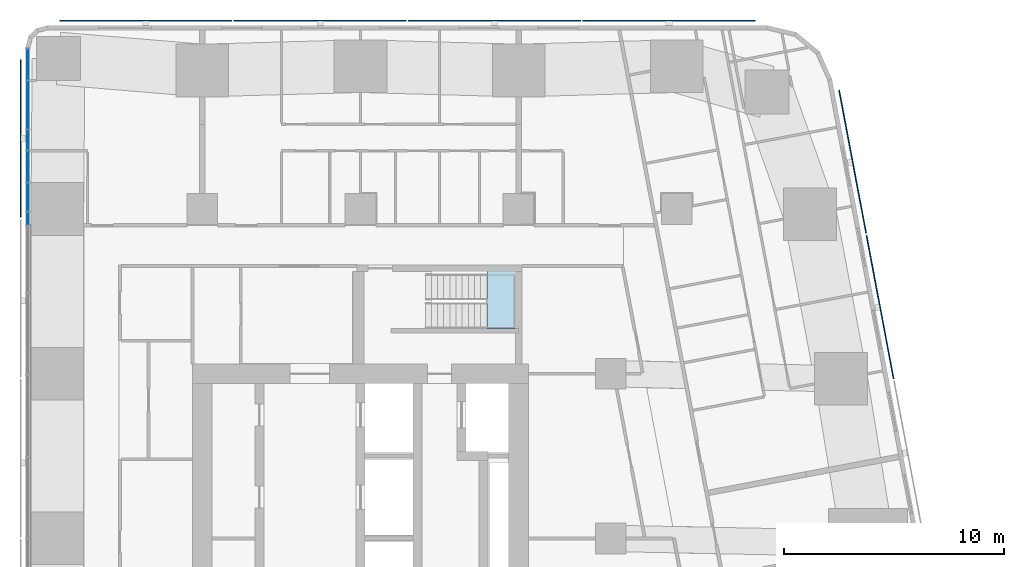
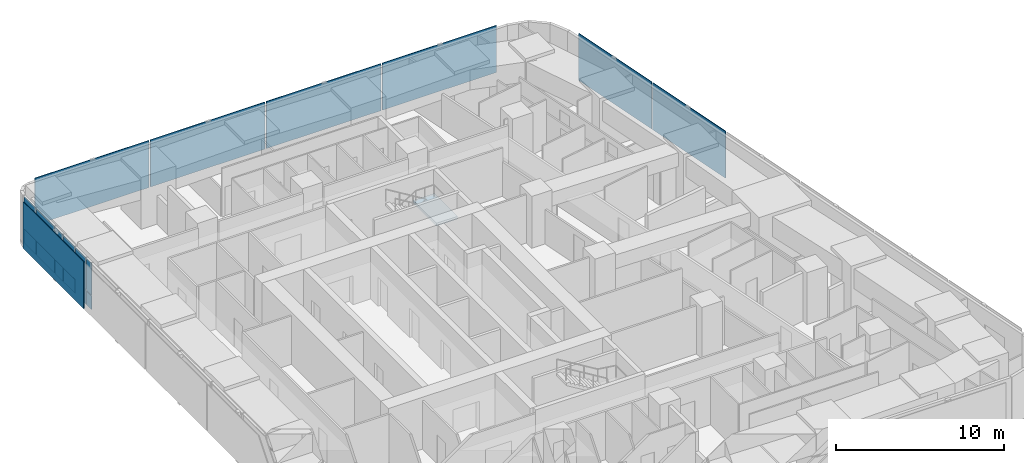
# One storey, part 9 of 19: 19 plates, 1 slab, 2 elements without a shape of their own.
"""IFC4 building model written with IfcOpenShell, lengths in metres."""

from ifc_helpers import new_model, si_unit, direction, frame, origin, origin_2d, place, context, subcontext, project, spatial, polyline, rectangle, outline, extrude, material, layer, layer_set, type_object, element, aggregate, save


model = new_model("IFC4")

# Units and contexts
model_context = context("Model", 3, precision=1e-05, world=origin(), true_north=direction((0.0, 1.0)))
body_context = subcontext(model_context, "Body", "Model", "MODEL_VIEW")
ifc_project = project(units=[si_unit("LENGTHUNIT", "METRE"), si_unit("AREAUNIT", "SQUARE_METRE"), si_unit("VOLUMEUNIT", "CUBIC_METRE"), si_unit("PLANEANGLEUNIT", "RADIAN"), si_unit("MASSUNIT", "GRAM", prefix="KILO")], contexts=[model_context])

# Site, building, storey
site_placement = place(None, origin())
site = spatial("IfcSite", under=ifc_project, at=site_placement, CompositionType="ELEMENT")
building_placement = place(site_placement, origin())
building = spatial("IfcBuilding", under=site, at=building_placement, Name="Sheger Commons Tower", CompositionType="ELEMENT")
storey_placement = place(building_placement, frame((0.0, 0.0, 201.199951171875)))
storey = spatial("IfcBuildingStorey", under=building, at=storey_placement, Name="L51", CompositionType="ELEMENT", Elevation=201.199951171875)

# Curtain wall, plates
ifc_material_1 = material(Name="Black aluminium curtain wall, dark tinted glazing", Category="aluminium")
curtain_wall_type = type_object("IfcCurtainWallType", Name="CURTAIN WALL CW4 GALLERY", PredefinedType="USERDEFINED", material=ifc_material_1)
curtain_wall_placement = place(storey_placement, origin())
curtain_wall = element("IfcCurtainWall", 1, at=curtain_wall_placement, inside=storey, type_object=curtain_wall_type, Name="Curtain Wall Cw4 Gallery W1 L51", ObjectType="UNITISED CURTAIN WALL", PredefinedType="USERDEFINED")
ifc_material_2 = material(Name="Dark tinted double glazing", Category="glass")
ifc_layer_1 = layer(ifc_material_2, 0.031982421875)
ifc_layer_set_1 = layer_set([ifc_layer_1], Name="GLAZED PANEL 32")
plate_type_1 = type_object("IfcPlateType", Name="GLAZED PANEL 32", PredefinedType="CURTAIN_PANEL", material=ifc_layer_set_1)
plate_1_placement = place(storey_placement, frame((6.449951171875, 44.0751953125, 0.065185546875), z_axis=(0.0, 0.0, 1.0), x_axis=(0.0, -1.0, 0.0)))
plate_1 = element("IfcPlate", 2, at=plate_1_placement, type_object=plate_type_1, Name="CW4 panel 1.1", PredefinedType="CURTAIN_PANEL", context=body_context, shape_type="SweptSolid", body=[
    extrude(rectangle(XDim=1.3935546875, YDim=0.031982421875, at=origin_2d()), origin(), (0.0, 0.0, 1.0), 1.00244140625),
])
plate_2_placement = place(storey_placement, frame((6.449951171875, 44.0751953125, 1.13232421875), z_axis=(0.0, 0.0, 1.0), x_axis=(0.0, -1.0, 0.0)))
plate_2 = element("IfcPlate", 3, at=plate_2_placement, type_object=plate_type_1, Name="CW4 panel 1.2", PredefinedType="CURTAIN_PANEL", context=body_context, shape_type="SweptSolid", body=[
    extrude(rectangle(XDim=1.3935546875, YDim=0.031982421875, at=origin_2d()), origin(), (0.0, 0.0, 1.0), 2.302490234375),
])
plate_3_placement = place(storey_placement, frame((6.449951171875, 42.22998046875, 0.065185546875), z_axis=(0.0, 0.0, 1.0), x_axis=(0.0, -1.0, 0.0)))
plate_3 = element("IfcPlate", 4, at=plate_3_placement, type_object=plate_type_1, Name="CW4 panel 2.1", PredefinedType="CURTAIN_PANEL", context=body_context, shape_type="SweptSolid", body=[
    extrude(rectangle(XDim=2.1669921875, YDim=0.031982421875, at=origin_2d()), origin(), (0.0, 0.0, 1.0), 1.00244140625),
])
plate_4_placement = place(storey_placement, frame((6.449951171875, 42.22998046875, 1.13232421875), z_axis=(0.0, 0.0, 1.0), x_axis=(0.0, -1.0, 0.0)))
plate_4 = element("IfcPlate", 5, at=plate_4_placement, type_object=plate_type_1, Name="CW4 panel 2.2", PredefinedType="CURTAIN_PANEL", context=body_context, shape_type="SweptSolid", body=[
    extrude(rectangle(XDim=2.1669921875, YDim=0.031982421875, at=origin_2d()), origin(), (0.0, 0.0, 1.0), 2.302490234375),
])
plate_5_placement = place(storey_placement, frame((6.449951171875, 40.632080078125, 0.065185546875), z_axis=(0.0, 0.0, 1.0), x_axis=(0.0, -1.0, 0.0)))
plate_5 = element("IfcPlate", 6, at=plate_5_placement, type_object=plate_type_1, Name="CW4 panel 3.1", PredefinedType="CURTAIN_PANEL", context=body_context, shape_type="SweptSolid", body=[
    extrude(rectangle(XDim=0.89892578125, YDim=0.031982421875, at=origin_2d()), origin(), (0.0, 0.0, 1.0), 1.00244140625),
])
plate_6_placement = place(storey_placement, frame((6.449951171875, 40.632080078125, 1.13232421875), z_axis=(0.0, 0.0, 1.0), x_axis=(0.0, -1.0, 0.0)))
plate_6 = element("IfcPlate", 7, at=plate_6_placement, type_object=plate_type_1, Name="CW4 panel 3.2", PredefinedType="CURTAIN_PANEL", context=body_context, shape_type="SweptSolid", body=[
    extrude(rectangle(XDim=0.89892578125, YDim=0.031982421875, at=origin_2d()), origin(), (0.0, 0.0, 1.0), 2.302490234375),
])
plate_7_placement = place(storey_placement, frame((6.449951171875, 39.425048828125, 0.065185546875), z_axis=(0.0, 0.0, 1.0), x_axis=(0.0, -1.0, 0.0)))
plate_7 = element("IfcPlate", 8, at=plate_7_placement, type_object=plate_type_1, Name="CW4 panel 4.1", PredefinedType="CURTAIN_PANEL", context=body_context, shape_type="SweptSolid", body=[
    extrude(rectangle(XDim=1.385009765625, YDim=0.031982421875, at=origin_2d()), origin(), (0.0, 0.0, 1.0), 1.00244140625),
])
plate_8_placement = place(storey_placement, frame((6.449951171875, 39.425048828125, 1.13232421875), z_axis=(0.0, 0.0, 1.0), x_axis=(0.0, -1.0, 0.0)))
plate_8 = element("IfcPlate", 9, at=plate_8_placement, type_object=plate_type_1, Name="CW4 panel 4.2", PredefinedType="CURTAIN_PANEL", context=body_context, shape_type="SweptSolid", body=[
    extrude(rectangle(XDim=1.385009765625, YDim=0.031982421875, at=origin_2d()), origin(), (0.0, 0.0, 1.0), 2.302490234375),
])
plate_9_placement = place(storey_placement, frame((6.449951171875, 38.04541015625, 0.065185546875), z_axis=(0.0, 0.0, 1.0), x_axis=(0.0, -1.0, 0.0)))
plate_9 = element("IfcPlate", 10, at=plate_9_placement, type_object=plate_type_1, Name="CW4 panel 5.1", PredefinedType="CURTAIN_PANEL", context=body_context, shape_type="SweptSolid", body=[
    extrude(rectangle(XDim=1.243896484375, YDim=0.031982421875, at=origin_2d()), origin(), (0.0, 0.0, 1.0), 1.00244140625),
])
plate_10_placement = place(storey_placement, frame((6.449951171875, 38.04541015625, 1.13232421875), z_axis=(0.0, 0.0, 1.0), x_axis=(0.0, -1.0, 0.0)))
plate_10 = element("IfcPlate", 11, at=plate_10_placement, type_object=plate_type_1, Name="CW4 panel 5.2", PredefinedType="CURTAIN_PANEL", context=body_context, shape_type="SweptSolid", body=[
    extrude(rectangle(XDim=1.243896484375, YDim=0.031982421875, at=origin_2d()), origin(), (0.0, 0.0, 1.0), 2.302490234375),
])
plate_11_placement = place(storey_placement, frame((6.449951171875, 37.070556640625, 0.065185546875), z_axis=(0.0, 0.0, 1.0), x_axis=(0.0, -1.0, 0.0)))
plate_11 = element("IfcPlate", 12, at=plate_11_placement, type_object=plate_type_1, Name="CW4 panel 6.1", PredefinedType="CURTAIN_PANEL", context=body_context, shape_type="SweptSolid", body=[
    extrude(rectangle(XDim=0.575927734375, YDim=0.031982421875, at=origin_2d()), origin(), (0.0, 0.0, 1.0), 1.00244140625),
])
plate_12_placement = place(storey_placement, frame((6.449951171875, 37.070556640625, 1.13232421875), z_axis=(0.0, 0.0, 1.0), x_axis=(0.0, -1.0, 0.0)))
plate_12 = element("IfcPlate", 13, at=plate_12_placement, type_object=plate_type_1, Name="CW4 panel 6.2", PredefinedType="CURTAIN_PANEL", context=body_context, shape_type="SweptSolid", body=[
    extrude(rectangle(XDim=0.575927734375, YDim=0.031982421875, at=origin_2d()), origin(), (0.0, 0.0, 1.0), 2.302490234375),
])
aggregate(curtain_wall, [plate_1, plate_2, plate_3, plate_4, plate_5, plate_6, plate_7, plate_8, plate_9, plate_10, plate_11, plate_12])

# Plates
ifc_material_3 = material(Name="Perforated black anodised aluminium screen", Category="aluminium")
ifc_layer_2 = layer(ifc_material_3, 0.050048828125)
ifc_layer_set_2 = layer_set([ifc_layer_2], Name="SOLAR SCREEN SCREEN-1")
plate_type_2 = type_object("IfcPlateType", Name="SOLAR SCREEN SCREEN-1", PredefinedType="USERDEFINED", material=ifc_layer_set_2)
for number, where, z_axis, x_axis, name in (
    (14, (45.2548828125, 33.028076171875, 0.050048828125), (0.0, 0.0, 1.0), (-0.185615165645, 0.982622516678, 0.0), "Perforated solar screen panel"),
    (15, (44.0048828125, 39.64794921875, 0.050048828125), (0.0, 0.0, 1.0), (-0.185615165645, 0.982622516678, 0.0), "Perforated solar screen panel"),
):
    element("IfcPlate", number, at=place(storey_placement, frame(where, z_axis=z_axis, x_axis=x_axis)), inside=storey, type_object=plate_type_2, Name=name, ObjectType="SCREEN", PredefinedType="USERDEFINED", context=body_context, shape_type="SweptSolid", body=[
        extrude(rectangle(XDim=6.636962890625, YDim=0.050048828125, at=origin_2d()), origin(), (0.0, 0.0, 1.0), 3.39990234375),
    ])
for number, where, z_axis, x_axis, name in (
    (16, (35.64697265625, 46.074951171875, 0.050048828125), (0.0, 0.0, 1.0), (-1.0, 0.0, 0.0), "Perforated solar screen panel"),
    (17, (27.705078125, 46.074951171875, 0.050048828125), (0.0, 0.0, 1.0), (-1.0, 0.0, 0.0), "Perforated solar screen panel"),
    (18, (19.762939453125, 46.074951171875, 0.050048828125), (0.0, 0.0, 1.0), (-1.0, 0.0, 0.0), "Perforated solar screen panel"),
    (19, (11.821044921875, 46.074951171875, 0.050048828125), (0.0, 0.0, 1.0), (-1.0, 0.0, 0.0), "Perforated solar screen panel"),
):
    element("IfcPlate", number, at=place(storey_placement, frame(where, z_axis=z_axis, x_axis=x_axis)), inside=storey, type_object=plate_type_2, Name=name, ObjectType="SCREEN", PredefinedType="USERDEFINED", context=body_context, shape_type="SweptSolid", body=[
        extrude(rectangle(XDim=7.842041015625, YDim=0.050048828125, at=origin_2d()), origin(), (0.0, 0.0, 1.0), 3.39990234375),
    ])
plate_13_placement = place(storey_placement, frame((6.125, 40.7080078125, 0.050048828125), z_axis=(0.0, 0.0, 1.0), x_axis=(0.0, -1.0, 0.0)))
element("IfcPlate", 20, at=plate_13_placement, inside=storey, type_object=plate_type_2, Name="Perforated solar screen panel", ObjectType="SCREEN", PredefinedType="USERDEFINED", context=body_context, shape_type="SweptSolid", body=[
    extrude(rectangle(XDim=7.18310546875, YDim=0.050048828125, at=origin_2d()), origin(), (0.0, 0.0, 1.0), 3.39990234375),
])

# Stair, slab
ifc_material_4 = material(Name="Concrete C35/45", Category="concrete")
stair_type = type_object("IfcStairType", Name="HALF-TURN STAIR 1200 RISE 3750", PredefinedType="HALF_TURN_STAIR", material=ifc_material_4)
stair_placement = place(storey_placement, origin())
stair = element("IfcStair", 21, at=stair_placement, inside=storey, type_object=stair_type, Name="Stair S2 L51", PredefinedType="HALF_TURN_STAIR")
ifc_material_5 = material(Name="Concrete C35/45", Category="concrete")
ifc_layer_3 = layer(ifc_material_5, 0.199951171875)
ifc_layer_set_3 = layer_set([ifc_layer_3], Name="STAIR LANDING 200")
slab_type = type_object("IfcSlabType", Name="STAIR LANDING 200", PredefinedType="LANDING", material=ifc_layer_set_3)
slab_placement = place(storey_placement, frame((0.0, 0.0, 1.675048828125)))
slab = element("IfcSlab", 22, at=slab_placement, type_object=slab_type, Name="S2 landing 1", PredefinedType="LANDING", context=body_context, shape_type="SweptSolid", body=[
    extrude(outline(polyline([(27.35009765625, 32.050048828125), (28.800048828125, 32.050048828125), (28.800048828125, 34.800048828125), (27.35009765625, 34.800048828125), (27.35009765625, 32.050048828125)])), origin(), (0.0, 0.0, 1.0), 0.199951171875),
])
aggregate(stair, [slab])

save(model, "model.ifc")
